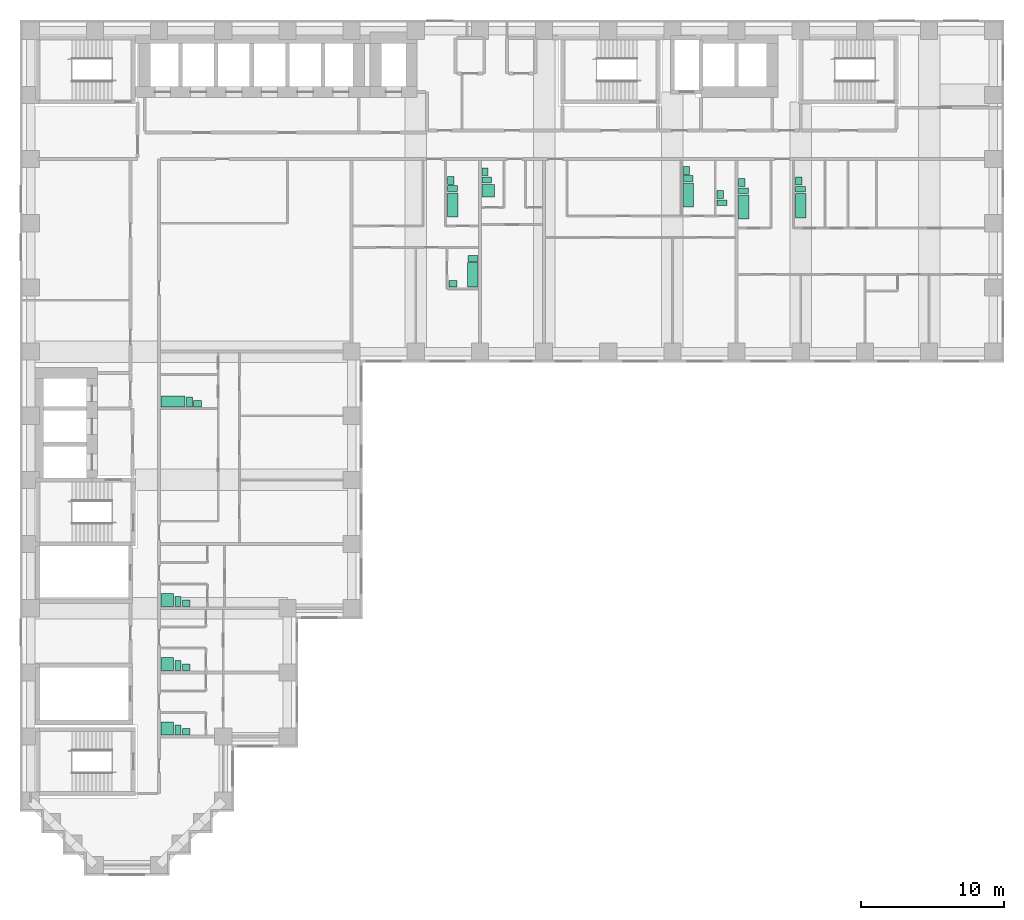
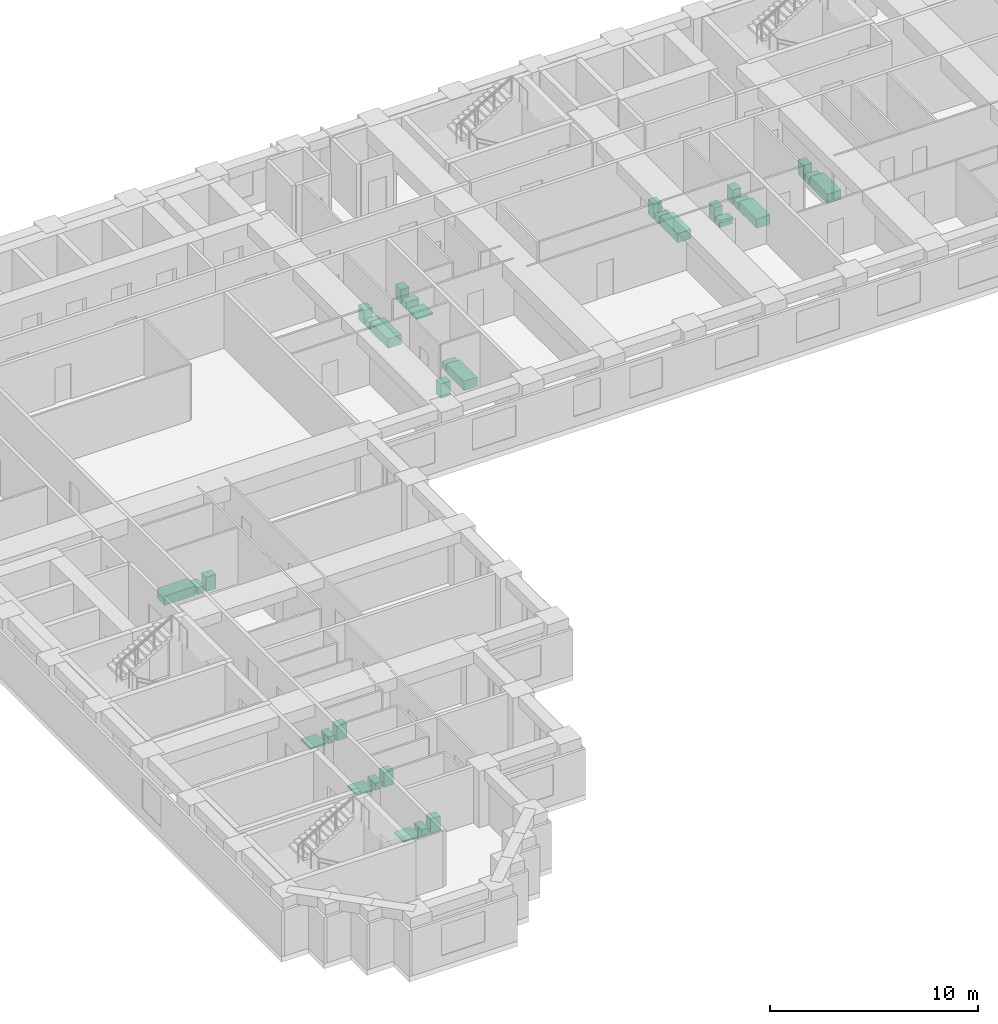
# One storey, part 11 of 11: 32 sanitary terminals.
"""IFC4 building model written with IfcOpenShell, lengths in metres."""

from ifc_helpers import new_model, si_unit, direction, frame, origin, origin_2d, place, context, subcontext, project, spatial, rectangle, extrude, material, type_object, element, save


model = new_model("IFC4")

# Units and contexts
model_context = context("Model", 3, precision=1e-05, world=origin(), true_north=direction((0.0, 1.0)))
body_context = subcontext(model_context, "Body", "Model", "MODEL_VIEW")
ifc_project = project(units=[si_unit("LENGTHUNIT", "METRE"), si_unit("AREAUNIT", "SQUARE_METRE"), si_unit("VOLUMEUNIT", "CUBIC_METRE"), si_unit("PLANEANGLEUNIT", "RADIAN"), si_unit("MASSUNIT", "GRAM", prefix="KILO")], contexts=[model_context])

# Site, building, storey
site_placement = place(None, origin())
site = spatial("IfcSite", under=ifc_project, at=site_placement, CompositionType="ELEMENT")
building_placement = place(site_placement, origin())
building = spatial("IfcBuilding", under=site, at=building_placement, Name="Firuza Court", CompositionType="ELEMENT")
storey_placement = place(building_placement, frame((0.0, 0.0, 75.800048828125)))
storey = spatial("IfcBuildingStorey", under=building, at=storey_placement, Name="L18", CompositionType="ELEMENT", Elevation=75.800048828125)

# Sanitary terminals
ifc_material_1 = material(Name="Vitreous china", Category="ceramic")
sanitary_terminal_type_1 = type_object("IfcSanitaryTerminalType", Name="Fixture Bath", PredefinedType="BATH", material=ifc_material_1)
for number, where, z_axis, x_axis, name in (
    (1, (29.60498046875, 46.280029296875, 0.0), (0.0, 0.0, 1.0), (1.0, 0.0, 0.0), "Bath"),
    (2, (30.9951171875, 41.3798828125, 0.0), (0.0, 0.0, 1.0), (1.0, 0.0, 0.0), "Bath"),
    (3, (46.10498046875, 46.97998046875, 0.0), (0.0, 0.0, 1.0), (1.0, 0.0, 0.0), "Bath"),
    (4, (50.0048828125, 46.1298828125, 0.0), (0.0, 0.0, 1.0), (1.0, 0.0, 0.0), "Bath"),
    (5, (54.0048828125, 46.22998046875, 0.0), (0.0, 0.0, 1.0), (1.0, 0.0, 0.0), "Bath"),
):
    element("IfcSanitaryTerminal", number, at=place(storey_placement, frame(where, z_axis=z_axis, x_axis=x_axis)), inside=storey, type_object=sanitary_terminal_type_1, Name=name, PredefinedType="BATH", context=body_context, shape_type="SweptSolid", body=[
        extrude(rectangle(XDim=0.75, YDim=1.699951171875, at=origin_2d()), origin(), (0.0, 0.0, 1.0), 0.550048828125),
    ])
sanitary_terminal_1_placement = place(storey_placement, frame((9.97998046875, 32.5048828125, 0.0), z_axis=(0.0, 0.0, 1.0), x_axis=(1.0, 0.0, 0.0)))
element("IfcSanitaryTerminal", 6, at=sanitary_terminal_1_placement, inside=storey, type_object=sanitary_terminal_type_1, Name="Bath", PredefinedType="BATH", context=body_context, shape_type="SweptSolid", body=[
    extrude(rectangle(XDim=1.699951171875, YDim=0.75, at=origin_2d()), origin(), (0.0, 0.0, 1.0), 0.550048828125),
])
ifc_material_2 = material(Name="Vitreous china", Category="ceramic")
sanitary_terminal_type_2 = type_object("IfcSanitaryTerminalType", Name="Fixture Shower tray", PredefinedType="SHOWER", material=ifc_material_2)
for number, where, z_axis, x_axis, name in (
    (7, (32.080078125, 47.280029296875, 0.0), (0.0, 0.0, 1.0), (1.0, 0.0, 0.0), "Shower tray"),
    (8, (9.580078125, 18.580078125, 0.0), (0.0, 0.0, 1.0), (1.0, 0.0, 0.0), "Shower tray"),
    (9, (9.580078125, 14.080078125, 0.0), (0.0, 0.0, 1.0), (1.0, 0.0, 0.0), "Shower tray"),
    (10, (9.580078125, 9.580078125, 0.0), (0.0, 0.0, 1.0), (1.0, 0.0, 0.0), "Shower tray"),
):
    element("IfcSanitaryTerminal", number, at=place(storey_placement, frame(where, z_axis=z_axis, x_axis=x_axis)), inside=storey, type_object=sanitary_terminal_type_2, Name=name, PredefinedType="SHOWER", context=body_context, shape_type="SweptSolid", body=[
        extrude(rectangle(XDim=0.89990234375, YDim=0.89990234375, at=origin_2d()), origin(), (0.0, 0.0, 1.0), 0.10009765625),
    ])
ifc_material_3 = material(Name="Vitreous china", Category="ceramic")
sanitary_terminal_type_3 = type_object("IfcSanitaryTerminalType", Name="Fixture WC pan", PredefinedType="TOILETPAN", material=ifc_material_3)
for number, where, z_axis, x_axis, name in (
    (11, (29.580078125, 47.429931640625, 0.0), (0.0, 0.0, 1.0), (1.0, 0.0, 0.0), "WC pan"),
    (12, (31.02001953125, 42.530029296875, 0.0), (0.0, 0.0, 1.0), (1.0, 0.0, 0.0), "WC pan"),
    (13, (31.97998046875, 48.030029296875, 0.0), (0.0, 0.0, 1.0), (1.0, 0.0, 0.0), "WC pan"),
    (14, (46.080078125, 48.1298828125, 0.0), (0.0, 0.0, 1.0), (1.0, 0.0, 0.0), "WC pan"),
    (15, (48.47998046875, 46.429931640625, 0.0), (0.0, 0.0, 1.0), (1.0, 0.0, 0.0), "WC pan"),
    (16, (49.97998046875, 47.280029296875, 0.0), (0.0, 0.0, 1.0), (1.0, 0.0, 0.0), "WC pan"),
    (17, (53.97998046875, 47.3798828125, 0.0), (0.0, 0.0, 1.0), (1.0, 0.0, 0.0), "WC pan"),
):
    element("IfcSanitaryTerminal", number, at=place(storey_placement, frame(where, z_axis=z_axis, x_axis=x_axis)), inside=storey, type_object=sanitary_terminal_type_3, Name=name, PredefinedType="TOILETPAN", context=body_context, shape_type="SweptSolid", body=[
        extrude(rectangle(XDim=0.699951171875, YDim=0.39990234375, at=origin_2d()), origin(), (0.0, 0.0, 1.0), 0.39990234375),
    ])
for number, where, z_axis, x_axis, name in (
    (18, (11.1298828125, 32.47998046875, 0.0), (0.0, 0.0, 1.0), (1.0, 0.0, 0.0), "WC pan"),
    (19, (10.330078125, 18.47998046875, 0.0), (0.0, 0.0, 1.0), (1.0, 0.0, 0.0), "WC pan"),
    (20, (10.330078125, 13.97998046875, 0.0), (0.0, 0.0, 1.0), (1.0, 0.0, 0.0), "WC pan"),
    (21, (10.330078125, 9.47998046875, 0.0), (0.0, 0.0, 1.0), (1.0, 0.0, 0.0), "WC pan"),
):
    element("IfcSanitaryTerminal", number, at=place(storey_placement, frame(where, z_axis=z_axis, x_axis=x_axis)), inside=storey, type_object=sanitary_terminal_type_3, Name=name, PredefinedType="TOILETPAN", context=body_context, shape_type="SweptSolid", body=[
        extrude(rectangle(XDim=0.39990234375, YDim=0.699951171875, at=origin_2d()), origin(), (0.0, 0.0, 1.0), 0.39990234375),
    ])
ifc_material_4 = material(Name="Vitreous china", Category="ceramic")
sanitary_terminal_type_4 = type_object("IfcSanitaryTerminalType", Name="Fixture Washbasin", PredefinedType="WASHHANDBASIN", material=ifc_material_4)
sanitary_terminal_2_placement = place(storey_placement, frame((29.455078125, 48.0048828125, 0.0), z_axis=(0.0, 0.0, 1.0), x_axis=(1.0, 0.0, 0.0)))
element("IfcSanitaryTerminal", 22, at=sanitary_terminal_2_placement, inside=storey, type_object=sanitary_terminal_type_4, Name="Washbasin", PredefinedType="WASHHANDBASIN", context=body_context, shape_type="SweptSolid", body=[
    extrude(rectangle(XDim=0.449951171875, YDim=0.550048828125, at=origin_2d()), origin(), (0.0, 0.0, 1.0), 0.85009765625),
])
sanitary_terminal_3_placement = place(storey_placement, frame((29.60498046875, 40.7548828125, 0.0), z_axis=(0.0, 0.0, 1.0), x_axis=(1.0, 0.0, 0.0)))
element("IfcSanitaryTerminal", 23, at=sanitary_terminal_3_placement, inside=storey, type_object=sanitary_terminal_type_4, Name="Washbasin", PredefinedType="WASHHANDBASIN", context=body_context, shape_type="SweptSolid", body=[
    extrude(rectangle(XDim=0.550048828125, YDim=0.449951171875, at=origin_2d()), origin(), (0.0, 0.0, 1.0), 0.85009765625),
])
for number, where, z_axis, x_axis, name in (
    (24, (31.85498046875, 48.60498046875, 0.0), (0.0, 0.0, 1.0), (1.0, 0.0, 0.0), "Washbasin"),
    (25, (45.955078125, 48.705078125, 0.0), (0.0, 0.0, 1.0), (1.0, 0.0, 0.0), "Washbasin"),
    (26, (48.35498046875, 47.0048828125, 0.0), (0.0, 0.0, 1.0), (1.0, 0.0, 0.0), "Washbasin"),
    (27, (49.85498046875, 47.85498046875, 0.0), (0.0, 0.0, 1.0), (1.0, 0.0, 0.0), "Washbasin"),
    (28, (53.85498046875, 47.955078125, 0.0), (0.0, 0.0, 1.0), (1.0, 0.0, 0.0), "Washbasin"),
):
    element("IfcSanitaryTerminal", number, at=place(storey_placement, frame(where, z_axis=z_axis, x_axis=x_axis)), inside=storey, type_object=sanitary_terminal_type_4, Name=name, PredefinedType="WASHHANDBASIN", context=body_context, shape_type="SweptSolid", body=[
        extrude(rectangle(XDim=0.449951171875, YDim=0.550048828125, at=origin_2d()), origin(), (0.0, 0.0, 1.0), 0.85009765625),
    ])
for number, where, z_axis, x_axis, name in (
    (29, (11.705078125, 32.35498046875, 0.0), (0.0, 0.0, 1.0), (1.0, 0.0, 0.0), "Washbasin"),
    (30, (10.905029296875, 18.35498046875, 0.0), (0.0, 0.0, 1.0), (1.0, 0.0, 0.0), "Washbasin"),
    (31, (10.905029296875, 13.85498046875, 0.0), (0.0, 0.0, 1.0), (1.0, 0.0, 0.0), "Washbasin"),
    (32, (10.905029296875, 9.35498046875, 0.0), (0.0, 0.0, 1.0), (1.0, 0.0, 0.0), "Washbasin"),
):
    element("IfcSanitaryTerminal", number, at=place(storey_placement, frame(where, z_axis=z_axis, x_axis=x_axis)), inside=storey, type_object=sanitary_terminal_type_4, Name=name, PredefinedType="WASHHANDBASIN", context=body_context, shape_type="SweptSolid", body=[
        extrude(rectangle(XDim=0.550048828125, YDim=0.449951171875, at=origin_2d()), origin(), (0.0, 0.0, 1.0), 0.85009765625),
    ])

save(model, "model.ifc")
